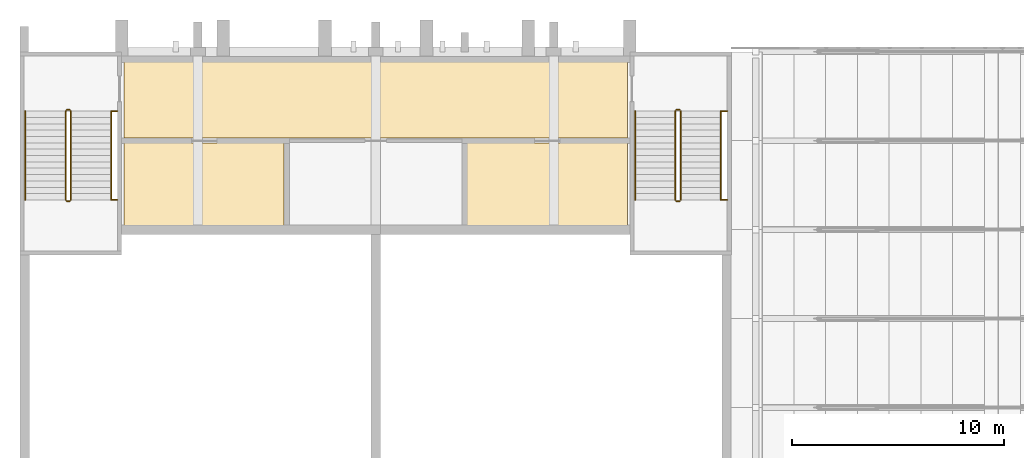
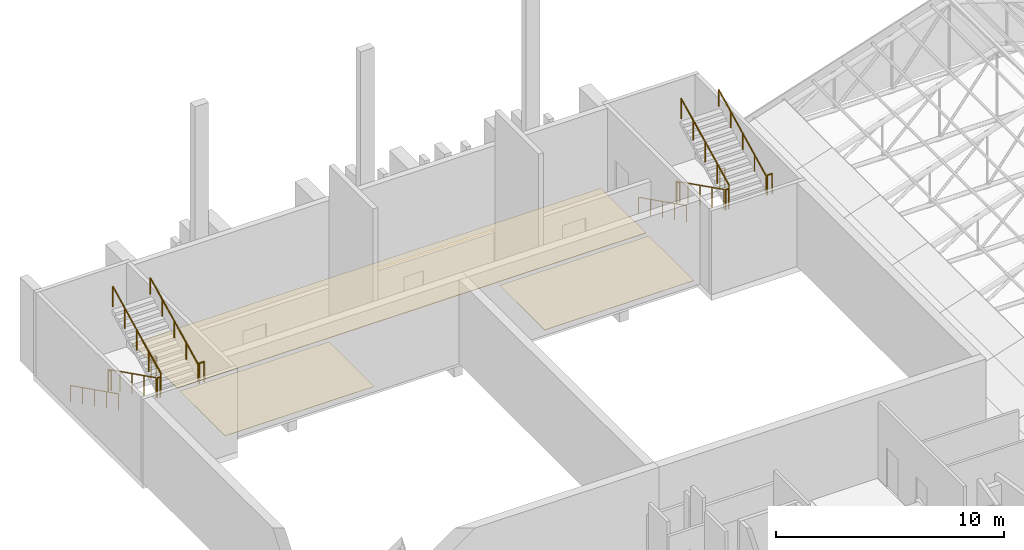
# One storey, part 95 of 95: 16 railings, 3 coverings.
"""IFC4 building model written with IfcOpenShell, lengths in metres."""

from ifc_helpers import new_model, si_unit, direction, frame, origin, origin_2d, place, context, subcontext, project, spatial, polyline, circle, outline, extrude, material, layer, layer_set, type_object, element, save


model = new_model("IFC4")

# Units and contexts
model_context = context("Model", 3, precision=1e-05, world=origin(), true_north=direction((0.0, 1.0)))
body_context = subcontext(model_context, "Body", "Model", "MODEL_VIEW")
ifc_project = project(units=[si_unit("LENGTHUNIT", "METRE"), si_unit("AREAUNIT", "SQUARE_METRE"), si_unit("VOLUMEUNIT", "CUBIC_METRE"), si_unit("PLANEANGLEUNIT", "RADIAN"), si_unit("MASSUNIT", "GRAM", prefix="KILO")], contexts=[model_context])

# Site, building, storey
site_placement = place(None, origin())
site = spatial("IfcSite", under=ifc_project, at=site_placement, CompositionType="ELEMENT")
building_placement = place(site_placement, origin())
building = spatial("IfcBuilding", under=site, at=building_placement, Name="Kiln Court Media Centre", CompositionType="ELEMENT")
storey_placement = place(building_placement, frame((0.0, 0.0, 24.60009765625)))
storey = spatial("IfcBuildingStorey", under=building, at=storey_placement, Name="L05", CompositionType="ELEMENT", Elevation=24.60009765625)

# Coverings
ifc_material_1 = material(Name="Carpet tile")
ifc_layer_1 = layer(ifc_material_1, 0.014892578125)
ifc_layer_set_1 = layer_set([ifc_layer_1], Name="Carpet tile floor finish 15")
covering_type_1 = type_object("IfcCoveringType", Name="Carpet tile floor finish 15", PredefinedType="FLOORING", material=ifc_layer_set_1)
covering_1_placement = place(storey_placement, origin())
element("IfcCovering", 1, at=covering_1_placement, inside=storey, type_object=covering_type_1, Name="Projection Room Screen 7 floor finish", PredefinedType="FLOORING", context=body_context, shape_type="SweptSolid", body=[
    extrude(outline(polyline([(12.47998046875, 62.8798828125), (4.919921875, 62.8798828125), (4.919921875, 58.919921875), (12.47998046875, 58.919921875), (12.47998046875, 62.8798828125)])), origin(), (0.0, 0.0, 1.0), 0.014892578125),
])
covering_2_placement = place(storey_placement, origin())
element("IfcCovering", 2, at=covering_2_placement, inside=storey, type_object=covering_type_1, Name="Projection Room Screen 8 floor finish", PredefinedType="FLOORING", context=body_context, shape_type="SweptSolid", body=[
    extrude(outline(polyline([(21.1201171875, 58.919921875), (28.679931640625, 58.919921875), (28.679931640625, 62.8798828125), (21.1201171875, 62.8798828125), (21.1201171875, 58.919921875)])), origin(), (0.0, 0.0, 1.0), 0.014892578125),
])
ifc_material_2 = material(Name="Terrazzo")
ifc_layer_2 = layer(ifc_material_2, 0.02490234375)
ifc_layer_set_2 = layer_set([ifc_layer_2], Name="Polished terrazzo floor finish 25")
covering_type_2 = type_object("IfcCoveringType", Name="Polished terrazzo floor finish 25", PredefinedType="FLOORING", material=ifc_layer_set_2)
covering_3_placement = place(storey_placement, origin())
element("IfcCovering", 3, at=covering_3_placement, inside=storey, type_object=covering_type_2, Name="Rear Exit Corridor floor finish", PredefinedType="FLOORING", context=body_context, shape_type="SweptSolid", body=[
    extrude(outline(polyline([(4.919921875, 63.1201171875), (28.679931640625, 63.1201171875), (28.679931640625, 67.080078125), (4.919921875, 67.080078125), (4.919921875, 63.1201171875)])), origin(), (0.0, 0.0, 1.0), 0.02490234375),
])

# Railings
ifc_material_3 = material(Name="Steel S275", Category="steel")
railing_type_1 = type_object("IfcRailingType", Name="Steel S275 stair guard 1100", PredefinedType="GUARDRAIL", material=ifc_material_3)
railing_1_placement = place(storey_placement, frame((2.14990234375, 64.39990234375, 0.14990234375)))
element("IfcRailing", 4, at=railing_1_placement, inside=storey, type_object=railing_type_1, Name="ST-07 stair guard", PredefinedType="GUARDRAIL", context=body_context, shape_type="SweptSolid", body=[
    extrude(circle(Radius=0.02392578125, at=origin_2d()), frame((0.0, 0.0, 1.076171875), z_axis=(0.0, -0.894416792377, 0.447234392142), x_axis=(1.0, 0.0, 0.0)), (0.0, 0.0, 1.0), 4.69580078125),
    extrude(circle(Radius=0.02099609375, at=origin_2d()), origin(), (0.0, 0.0, 1.0), 1.052001953125),
    extrude(circle(Radius=0.02099609375, at=origin_2d()), frame((0.0, -1.050048828125, 0.52490234375)), (0.0, 0.0, 1.0), 1.052001953125),
    extrude(circle(Radius=0.02099609375, at=origin_2d()), frame((0.0, -2.10009765625, 1.050048828125)), (0.0, 0.0, 1.0), 1.052001953125),
    extrude(circle(Radius=0.02099609375, at=origin_2d()), frame((0.0, -3.14990234375, 1.5751953125)), (0.0, 0.0, 1.0), 1.052001953125),
    extrude(circle(Radius=0.02099609375, at=origin_2d()), frame((0.0, -4.199951171875, 2.10009765625)), (0.0, 0.0, 1.0), 1.052001953125),
])
railing_2_placement = place(storey_placement, frame((2.199951171875, 60.14990234375, 2.25)))
element("IfcRailing", 5, at=railing_2_placement, inside=storey, type_object=railing_type_1, Name="ST-07 stair guard", PredefinedType="GUARDRAIL", context=body_context, shape_type="SweptSolid", body=[
    extrude(circle(Radius=0.02392578125, at=origin_2d()), frame((0.0, 0.0, 1.076171875), z_axis=(1.0, 0.0, 0.0), x_axis=(0.0, 1.0, 0.0)), (0.0, 0.0, 1.0), 0.150146484375),
    extrude(circle(Radius=0.02099609375, at=origin_2d()), origin(), (0.0, 0.0, 1.0), 1.052001953125),
    extrude(circle(Radius=0.02099609375, at=origin_2d()), frame((0.150146484375, 0.0, 0.0)), (0.0, 0.0, 1.0), 1.052001953125),
])
railing_3_placement = place(storey_placement, frame((2.39990234375, 60.199951171875, 2.39990234375)))
element("IfcRailing", 6, at=railing_3_placement, inside=storey, type_object=railing_type_1, Name="ST-07 stair guard", PredefinedType="GUARDRAIL", context=body_context, shape_type="SweptSolid", body=[
    extrude(circle(Radius=0.02392578125, at=origin_2d()), frame((0.0, 0.0, 1.076171875), z_axis=(0.0, 0.894416792377, 0.447234392142), x_axis=(-1.0, 0.0, 0.0)), (0.0, 0.0, 1.0), 4.69580078125),
    extrude(circle(Radius=0.02099609375, at=origin_2d()), origin(), (0.0, 0.0, 1.0), 1.052001953125),
    extrude(circle(Radius=0.02099609375, at=origin_2d()), frame((0.0, 1.050048828125, 0.52490234375)), (0.0, 0.0, 1.0), 1.052001953125),
    extrude(circle(Radius=0.02099609375, at=origin_2d()), frame((0.0, 2.10009765625, 1.050048828125)), (0.0, 0.0, 1.0), 1.052001953125),
    extrude(circle(Radius=0.02099609375, at=origin_2d()), frame((0.0, 3.14990234375, 1.5751953125)), (0.0, 0.0, 1.0), 1.052001953125),
    extrude(circle(Radius=0.02099609375, at=origin_2d()), frame((0.0, 4.199951171875, 2.10009765625)), (0.0, 0.0, 1.0), 1.052001953125),
])
railing_4_placement = place(storey_placement, frame((2.199951171875, 64.449951171875, 0.0)))
element("IfcRailing", 7, at=railing_4_placement, inside=storey, type_object=railing_type_1, Name="ST-07 stair guard", PredefinedType="GUARDRAIL", context=body_context, shape_type="SweptSolid", body=[
    extrude(circle(Radius=0.02392578125, at=origin_2d()), frame((0.0, 0.0, 1.076171875), z_axis=(1.0, 0.0, 0.0), x_axis=(0.0, 1.0, 0.0)), (0.0, 0.0, 1.0), 0.150146484375),
    extrude(circle(Radius=0.02099609375, at=origin_2d()), origin(), (0.0, 0.0, 1.0), 1.052001953125),
    extrude(circle(Radius=0.02099609375, at=origin_2d()), frame((0.150146484375, 0.0, 0.0)), (0.0, 0.0, 1.0), 1.052001953125),
])
for number, where, name in (
    (8, (4.35009765625, 60.199951171875, 2.25), "ST-07 landing edge guard"),
    (9, (4.35009765625, 64.39990234375, 0.0), "ST-07 landing edge guard"),
):
    element("IfcRailing", number, at=place(storey_placement, frame(where)), inside=storey, type_object=railing_type_1, Name=name, PredefinedType="GUARDRAIL", context=body_context, shape_type="SweptSolid", body=[
        extrude(circle(Radius=0.02392578125, at=origin_2d()), frame((0.0, 0.0, 1.076171875), z_axis=(1.0, 0.0, 0.0), x_axis=(0.0, 1.0, 0.0)), (0.0, 0.0, 1.0), 0.25),
        extrude(circle(Radius=0.02099609375, at=origin_2d()), origin(), (0.0, 0.0, 1.0), 1.052001953125),
        extrude(circle(Radius=0.02099609375, at=origin_2d()), frame((0.25, 0.0, 0.0)), (0.0, 0.0, 1.0), 1.052001953125),
    ])
railing_5_placement = place(storey_placement, frame((30.949951171875, 64.39990234375, 0.14990234375)))
element("IfcRailing", 10, at=railing_5_placement, inside=storey, type_object=railing_type_1, Name="ST-08 stair guard", PredefinedType="GUARDRAIL", context=body_context, shape_type="SweptSolid", body=[
    extrude(circle(Radius=0.02392578125, at=origin_2d()), frame((0.0, 0.0, 1.076171875), z_axis=(0.0, -0.894416792377, 0.447234392142), x_axis=(1.0, 0.0, 0.0)), (0.0, 0.0, 1.0), 4.69580078125),
    extrude(circle(Radius=0.02099609375, at=origin_2d()), origin(), (0.0, 0.0, 1.0), 1.052001953125),
    extrude(circle(Radius=0.02099609375, at=origin_2d()), frame((0.0, -1.050048828125, 0.52490234375)), (0.0, 0.0, 1.0), 1.052001953125),
    extrude(circle(Radius=0.02099609375, at=origin_2d()), frame((0.0, -2.10009765625, 1.050048828125)), (0.0, 0.0, 1.0), 1.052001953125),
    extrude(circle(Radius=0.02099609375, at=origin_2d()), frame((0.0, -3.14990234375, 1.5751953125)), (0.0, 0.0, 1.0), 1.052001953125),
    extrude(circle(Radius=0.02099609375, at=origin_2d()), frame((0.0, -4.199951171875, 2.10009765625)), (0.0, 0.0, 1.0), 1.052001953125),
])
railing_6_placement = place(storey_placement, frame((31.0, 60.14990234375, 2.25)))
element("IfcRailing", 11, at=railing_6_placement, inside=storey, type_object=railing_type_1, Name="ST-08 stair guard", PredefinedType="GUARDRAIL", context=body_context, shape_type="SweptSolid", body=[
    extrude(circle(Radius=0.02392578125, at=origin_2d()), frame((0.0, 0.0, 1.076171875), z_axis=(1.0, 0.0, 0.0), x_axis=(0.0, 1.0, 0.0)), (0.0, 0.0, 1.0), 0.14990234375),
    extrude(circle(Radius=0.02099609375, at=origin_2d()), origin(), (0.0, 0.0, 1.0), 1.052001953125),
    extrude(circle(Radius=0.02099609375, at=origin_2d()), frame((0.14990234375, 0.0, 0.0)), (0.0, 0.0, 1.0), 1.052001953125),
])
railing_7_placement = place(storey_placement, frame((31.199951171875, 60.199951171875, 2.39990234375)))
element("IfcRailing", 12, at=railing_7_placement, inside=storey, type_object=railing_type_1, Name="ST-08 stair guard", PredefinedType="GUARDRAIL", context=body_context, shape_type="SweptSolid", body=[
    extrude(circle(Radius=0.02392578125, at=origin_2d()), frame((0.0, 0.0, 1.076171875), z_axis=(0.0, 0.894416792377, 0.447234392142), x_axis=(-1.0, 0.0, 0.0)), (0.0, 0.0, 1.0), 4.69580078125),
    extrude(circle(Radius=0.02099609375, at=origin_2d()), origin(), (0.0, 0.0, 1.0), 1.052001953125),
    extrude(circle(Radius=0.02099609375, at=origin_2d()), frame((0.0, 1.050048828125, 0.52490234375)), (0.0, 0.0, 1.0), 1.052001953125),
    extrude(circle(Radius=0.02099609375, at=origin_2d()), frame((0.0, 2.10009765625, 1.050048828125)), (0.0, 0.0, 1.0), 1.052001953125),
    extrude(circle(Radius=0.02099609375, at=origin_2d()), frame((0.0, 3.14990234375, 1.5751953125)), (0.0, 0.0, 1.0), 1.052001953125),
    extrude(circle(Radius=0.02099609375, at=origin_2d()), frame((0.0, 4.199951171875, 2.10009765625)), (0.0, 0.0, 1.0), 1.052001953125),
])
railing_8_placement = place(storey_placement, frame((31.0, 64.449951171875, 0.0)))
element("IfcRailing", 13, at=railing_8_placement, inside=storey, type_object=railing_type_1, Name="ST-08 stair guard", PredefinedType="GUARDRAIL", context=body_context, shape_type="SweptSolid", body=[
    extrude(circle(Radius=0.02392578125, at=origin_2d()), frame((0.0, 0.0, 1.076171875), z_axis=(1.0, 0.0, 0.0), x_axis=(0.0, 1.0, 0.0)), (0.0, 0.0, 1.0), 0.14990234375),
    extrude(circle(Radius=0.02099609375, at=origin_2d()), origin(), (0.0, 0.0, 1.0), 1.052001953125),
    extrude(circle(Radius=0.02099609375, at=origin_2d()), frame((0.14990234375, 0.0, 0.0)), (0.0, 0.0, 1.0), 1.052001953125),
])
for number, where, name in (
    (14, (33.14990234375, 60.199951171875, 2.25), "ST-08 landing edge guard"),
    (15, (33.14990234375, 64.39990234375, 0.0), "ST-08 landing edge guard"),
):
    element("IfcRailing", number, at=place(storey_placement, frame(where)), inside=storey, type_object=railing_type_1, Name=name, PredefinedType="GUARDRAIL", context=body_context, shape_type="SweptSolid", body=[
        extrude(circle(Radius=0.02392578125, at=origin_2d()), frame((0.0, 0.0, 1.076171875), z_axis=(1.0, 0.0, 0.0), x_axis=(0.0, 1.0, 0.0)), (0.0, 0.0, 1.0), 0.25),
        extrude(circle(Radius=0.02099609375, at=origin_2d()), origin(), (0.0, 0.0, 1.0), 1.052001953125),
        extrude(circle(Radius=0.02099609375, at=origin_2d()), frame((0.25, 0.0, 0.0)), (0.0, 0.0, 1.0), 1.052001953125),
    ])
ifc_material_4 = material(Name="Steel S275", Category="steel")
railing_type_2 = type_object("IfcRailingType", Name="Steel S275 stair handrail 900", PredefinedType="HANDRAIL", material=ifc_material_4)
railing_9_placement = place(storey_placement, frame((0.25, 64.39990234375, 0.14990234375)))
element("IfcRailing", 16, at=railing_9_placement, inside=storey, type_object=railing_type_2, Name="ST-07 stair handrail", PredefinedType="HANDRAIL", context=body_context, shape_type="SweptSolid", body=[
    extrude(circle(Radius=0.02392578125, at=origin_2d()), frame((0.0, 0.0, 0.8759765625), z_axis=(0.0, -0.894416792377, 0.447234392142), x_axis=(1.0, 0.0, 0.0)), (0.0, 0.0, 1.0), 4.69580078125),
    extrude(circle(Radius=0.02099609375, at=origin_2d()), origin(), (0.0, 0.0, 1.0), 0.851806640625),
    extrude(circle(Radius=0.02099609375, at=origin_2d()), frame((0.0, -1.050048828125, 0.52490234375)), (0.0, 0.0, 1.0), 0.851806640625),
    extrude(circle(Radius=0.02099609375, at=origin_2d()), frame((0.0, -2.10009765625, 1.050048828125)), (0.0, 0.0, 1.0), 0.851806640625),
    extrude(circle(Radius=0.02099609375, at=origin_2d()), frame((0.0, -3.14990234375, 1.5751953125)), (0.0, 0.0, 1.0), 0.851806640625),
    extrude(circle(Radius=0.02099609375, at=origin_2d()), frame((0.0, -4.199951171875, 2.10009765625)), (0.0, 0.0, 1.0), 0.851806640625),
])
railing_10_placement = place(storey_placement, frame((4.300048828125, 60.199951171875, 2.39990234375)))
element("IfcRailing", 17, at=railing_10_placement, inside=storey, type_object=railing_type_2, Name="ST-07 stair handrail", PredefinedType="HANDRAIL", context=body_context, shape_type="SweptSolid", body=[
    extrude(circle(Radius=0.02392578125, at=origin_2d()), frame((0.0, 0.0, 0.8759765625), z_axis=(0.0, 0.894416792377, 0.447234392142), x_axis=(-1.0, 0.0, 0.0)), (0.0, 0.0, 1.0), 4.69580078125),
    extrude(circle(Radius=0.02099609375, at=origin_2d()), origin(), (0.0, 0.0, 1.0), 0.851806640625),
    extrude(circle(Radius=0.02099609375, at=origin_2d()), frame((0.0, 1.050048828125, 0.52490234375)), (0.0, 0.0, 1.0), 0.851806640625),
    extrude(circle(Radius=0.02099609375, at=origin_2d()), frame((0.0, 2.10009765625, 1.050048828125)), (0.0, 0.0, 1.0), 0.851806640625),
    extrude(circle(Radius=0.02099609375, at=origin_2d()), frame((0.0, 3.14990234375, 1.5751953125)), (0.0, 0.0, 1.0), 0.851806640625),
    extrude(circle(Radius=0.02099609375, at=origin_2d()), frame((0.0, 4.199951171875, 2.10009765625)), (0.0, 0.0, 1.0), 0.851806640625),
])
railing_11_placement = place(storey_placement, frame((29.050048828125, 64.39990234375, 0.14990234375)))
element("IfcRailing", 18, at=railing_11_placement, inside=storey, type_object=railing_type_2, Name="ST-08 stair handrail", PredefinedType="HANDRAIL", context=body_context, shape_type="SweptSolid", body=[
    extrude(circle(Radius=0.02392578125, at=origin_2d()), frame((0.0, 0.0, 0.8759765625), z_axis=(0.0, -0.894416792377, 0.447234392142), x_axis=(1.0, 0.0, 0.0)), (0.0, 0.0, 1.0), 4.69580078125),
    extrude(circle(Radius=0.02099609375, at=origin_2d()), origin(), (0.0, 0.0, 1.0), 0.851806640625),
    extrude(circle(Radius=0.02099609375, at=origin_2d()), frame((0.0, -1.050048828125, 0.52490234375)), (0.0, 0.0, 1.0), 0.851806640625),
    extrude(circle(Radius=0.02099609375, at=origin_2d()), frame((0.0, -2.10009765625, 1.050048828125)), (0.0, 0.0, 1.0), 0.851806640625),
    extrude(circle(Radius=0.02099609375, at=origin_2d()), frame((0.0, -3.14990234375, 1.5751953125)), (0.0, 0.0, 1.0), 0.851806640625),
    extrude(circle(Radius=0.02099609375, at=origin_2d()), frame((0.0, -4.199951171875, 2.10009765625)), (0.0, 0.0, 1.0), 0.851806640625),
])
railing_12_placement = place(storey_placement, frame((33.10009765625, 60.199951171875, 2.39990234375)))
element("IfcRailing", 19, at=railing_12_placement, inside=storey, type_object=railing_type_2, Name="ST-08 stair handrail", PredefinedType="HANDRAIL", context=body_context, shape_type="SweptSolid", body=[
    extrude(circle(Radius=0.02392578125, at=origin_2d()), frame((0.0, 0.0, 0.8759765625), z_axis=(0.0, 0.894416792377, 0.447234392142), x_axis=(-1.0, 0.0, 0.0)), (0.0, 0.0, 1.0), 4.69580078125),
    extrude(circle(Radius=0.02099609375, at=origin_2d()), origin(), (0.0, 0.0, 1.0), 0.851806640625),
    extrude(circle(Radius=0.02099609375, at=origin_2d()), frame((0.0, 1.050048828125, 0.52490234375)), (0.0, 0.0, 1.0), 0.851806640625),
    extrude(circle(Radius=0.02099609375, at=origin_2d()), frame((0.0, 2.10009765625, 1.050048828125)), (0.0, 0.0, 1.0), 0.851806640625),
    extrude(circle(Radius=0.02099609375, at=origin_2d()), frame((0.0, 3.14990234375, 1.5751953125)), (0.0, 0.0, 1.0), 0.851806640625),
    extrude(circle(Radius=0.02099609375, at=origin_2d()), frame((0.0, 4.199951171875, 2.10009765625)), (0.0, 0.0, 1.0), 0.851806640625),
])

save(model, "model.ifc")
